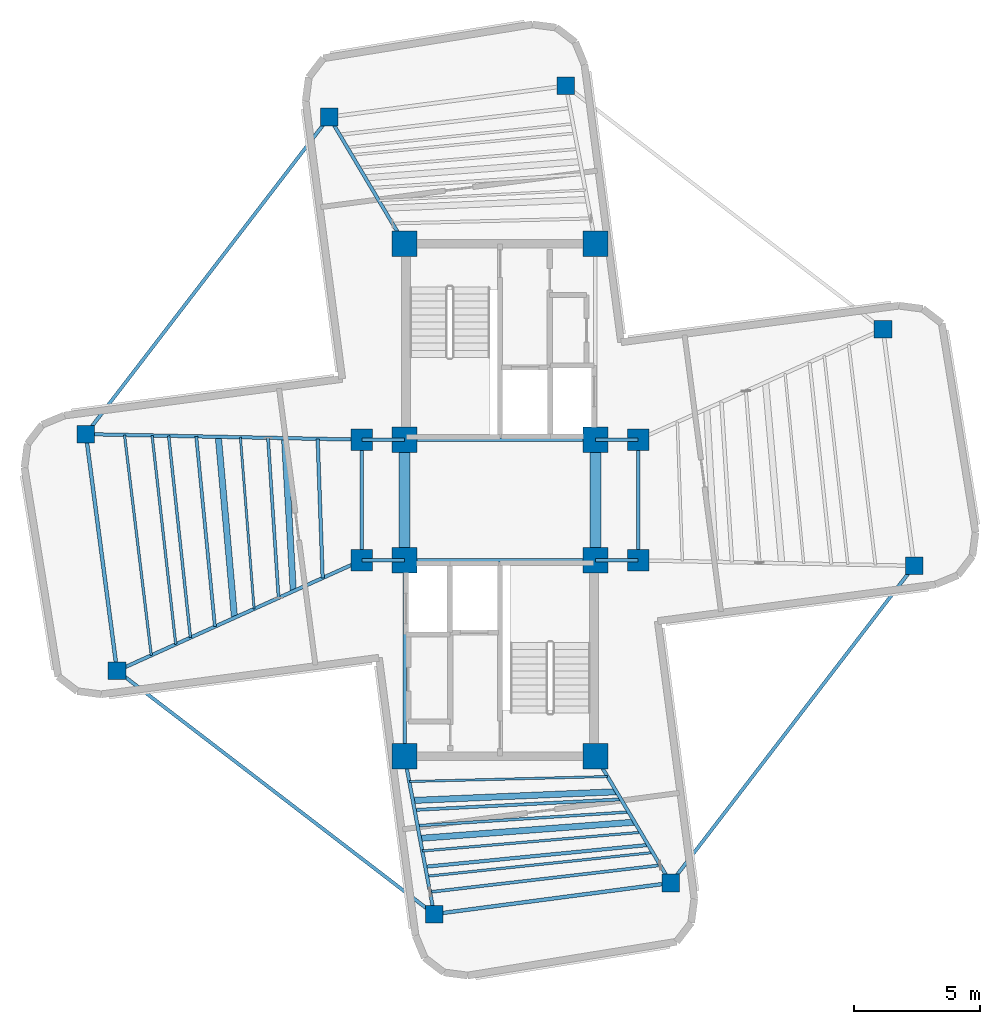
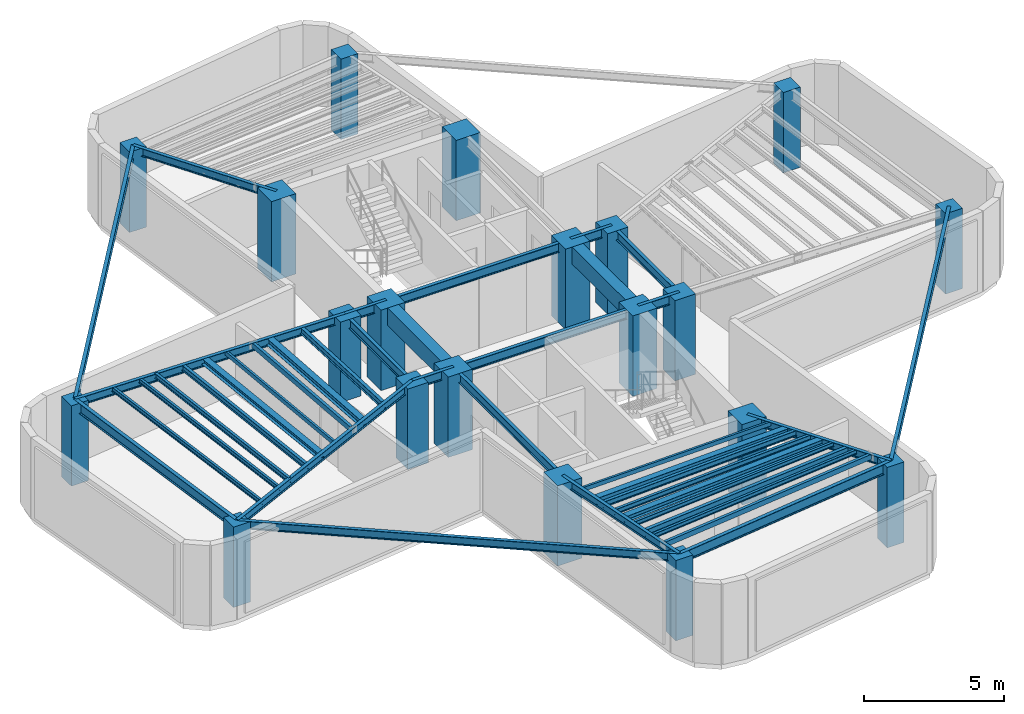
# One storey, part 1 of 6: 39 beams, 20 columns.
"""IFC4 building model written with IfcOpenShell, lengths in metres."""

from ifc_helpers import new_model, si_unit, direction, frame, origin, origin_2d, place, context, subcontext, project, spatial, rectangle, hollow_rectangle, i_section, extrude, source, transform, mapped, material, material_profile, profile_set, type_object, element, save


model = new_model("IFC4")

# Units and contexts
model_context = context("Model", 3, precision=1e-05, world=origin(), true_north=direction((0.0, 1.0)))
body_context = subcontext(model_context, "Body", "Model", "MODEL_VIEW")
ifc_project = project(units=[si_unit("LENGTHUNIT", "METRE"), si_unit("AREAUNIT", "SQUARE_METRE"), si_unit("VOLUMEUNIT", "CUBIC_METRE"), si_unit("PLANEANGLEUNIT", "RADIAN"), si_unit("MASSUNIT", "GRAM", prefix="KILO")], contexts=[model_context])

# Site, building, storey
site_placement = place(None, origin())
site = spatial("IfcSite", under=ifc_project, at=site_placement, CompositionType="ELEMENT")
building_placement = place(site_placement, origin())
building = spatial("IfcBuilding", under=site, at=building_placement, Name="Sahyath Konkavel Grand Hotel", CompositionType="ELEMENT")
storey_placement = place(building_placement, frame((0.0, 0.0, 288.89990234375)))
storey = spatial("IfcBuildingStorey", under=building, at=storey_placement, Name="L80", CompositionType="ELEMENT", Elevation=288.89990234375)

# Columns
ifc_material_1 = material(Name="Concrete C50/60", Category="concrete")
ifc_material_profile_1 = material_profile(ifc_material_1, rectangle(XDim=1.0, YDim=1.0, at=origin_2d()), Name="RC 1000x1000")
ifc_profile_set_1 = profile_set([ifc_material_profile_1], Name="Concrete C50/60")
column_type_1 = type_object("IfcColumnType", Name="COL-RC1000", PredefinedType="COLUMN", material=ifc_profile_set_1)
shared_shape_1 = source(origin(), body_context, "Body", "SweptSolid", [
    extrude(rectangle(XDim=1.0, YDim=1.0, at=origin_2d()), origin(), (0.0, 0.0, 1.0), 3.5),
])
for number, where, z_axis, x_axis, name in (
    (1, (-3.800048828125, 2.39990234375, 0.0), (0.0, 0.0, 1.0), (1.0, 0.0, 0.0), "L80 Core Boundary Column NC-SW"),
    (2, (3.800048828125, 2.39990234375, 0.0), (0.0, 0.0, 1.0), (1.0, 0.0, 0.0), "L80 Core Boundary Column NC-SE"),
    (3, (-3.800048828125, 10.199951171875, 0.0), (0.0, 0.0, 1.0), (1.0, 0.0, 0.0), "L80 Core Boundary Column NC-NW"),
    (4, (3.800048828125, 10.199951171875, 0.0), (0.0, 0.0, 1.0), (1.0, 0.0, 0.0), "L80 Core Boundary Column NC-NE"),
    (5, (-3.800048828125, -2.39990234375, 0.0), (0.0, 0.0, 1.0), (1.0, 0.0, 0.0), "L80 Core Boundary Column SC-NW"),
    (6, (3.800048828125, -2.39990234375, 0.0), (0.0, 0.0, 1.0), (1.0, 0.0, 0.0), "L80 Core Boundary Column SC-NE"),
    (7, (-3.800048828125, -10.199951171875, 0.0), (0.0, 0.0, 1.0), (1.0, 0.0, 0.0), "L80 Core Boundary Column SC-SW"),
    (8, (3.800048828125, -10.199951171875, 0.0), (0.0, 0.0, 1.0), (1.0, 0.0, 0.0), "L80 Core Boundary Column SC-SE"),
):
    element("IfcColumn", number, at=place(storey_placement, frame(where, z_axis=z_axis, x_axis=x_axis)), inside=storey, type_object=column_type_1, Name=name, PredefinedType="COLUMN", context=body_context, shape_type="MappedRepresentation", body=[
        mapped(shared_shape_1, transform((0.0, 0.0, 0.0), scale=1.0)),
    ])
ifc_material_2 = material(Name="Concrete C40/50", Category="concrete")
ifc_material_profile_2 = material_profile(ifc_material_2, rectangle(XDim=0.85009765625, YDim=0.85009765625, at=origin_2d()), Name="RC 850x850")
ifc_profile_set_2 = profile_set([ifc_material_profile_2], Name="Concrete C40/50")
column_type_2 = type_object("IfcColumnType", Name="COL-RC850", PredefinedType="COLUMN", material=ifc_profile_set_2)
shared_shape_2 = source(origin(), body_context, "Body", "SweptSolid", [
    extrude(rectangle(XDim=0.85009765625, YDim=0.85009765625, at=origin_2d()), origin(), (0.0, 0.0, 1.0), 3.5),
])
for number, where, z_axis, x_axis, name in (
    (9, (5.5, 2.39990234375, 0.0), (0.0, 0.0, 1.0), (1.0, 0.0, 0.0), "L80 Central Spine Column HB-NE"),
    (10, (-5.5, 2.39990234375, 0.0), (0.0, 0.0, 1.0), (1.0, 0.0, 0.0), "L80 Central Spine Column HB-NW"),
    (11, (5.5, -2.39990234375, 0.0), (0.0, 0.0, 1.0), (1.0, 0.0, 0.0), "L80 Central Spine Column HB-SE"),
    (12, (-5.5, -2.39990234375, 0.0), (0.0, 0.0, 1.0), (1.0, 0.0, 0.0), "L80 Central Spine Column HB-SW"),
):
    element("IfcColumn", number, at=place(storey_placement, frame(where, z_axis=z_axis, x_axis=x_axis)), inside=storey, type_object=column_type_2, Name=name, PredefinedType="COLUMN", context=body_context, shape_type="MappedRepresentation", body=[
        mapped(shared_shape_2, transform((0.0, 0.0, 0.0), scale=1.0)),
    ])
ifc_material_profile_3 = material_profile(ifc_material_2, rectangle(XDim=0.699951171875, YDim=0.699951171875, at=origin_2d()), Name="RC 700x700")
ifc_profile_set_3 = profile_set([ifc_material_profile_3], Name="Concrete C40/50")
column_type_3 = type_object("IfcColumnType", Name="COL-RC700", PredefinedType="COLUMN", material=ifc_profile_set_3)
shared_shape_3 = source(origin(), body_context, "Body", "SweptSolid", [
    extrude(rectangle(XDim=0.699951171875, YDim=0.699951171875, at=origin_2d()), origin(), (0.0, 0.0, 1.0), 3.5),
])
for number, where, z_axis, x_axis, name in (
    (13, (16.483154296875, -2.620849609375, 0.0), (0.0, 0.0, 1.0), (1.0, 0.0, 0.0), "L80 Cruciform Wing Column WC-EA"),
    (14, (15.2431640625, 6.7978515625, 0.0), (0.0, 0.0, 1.0), (1.0, 0.0, 0.0), "L80 Cruciform Wing Column WC-EB"),
    (15, (2.620849609375, 16.483154296875, 0.0), (0.0, 0.0, 1.0), (1.0, 0.0, 0.0), "L80 Cruciform Wing Column WC-NA"),
    (16, (-6.7978515625, 15.2431640625, 0.0), (0.0, 0.0, 1.0), (1.0, 0.0, 0.0), "L80 Cruciform Wing Column WC-NB"),
    (17, (-16.483154296875, 2.620849609375, 0.0), (0.0, 0.0, 1.0), (1.0, 0.0, 0.0), "L80 Cruciform Wing Column WC-WA"),
    (18, (-15.2431640625, -6.7978515625, 0.0), (0.0, 0.0, 1.0), (1.0, 0.0, 0.0), "L80 Cruciform Wing Column WC-WB"),
    (19, (-2.620849609375, -16.483154296875, 0.0), (0.0, 0.0, 1.0), (1.0, 0.0, 0.0), "L80 Cruciform Wing Column WC-SA"),
    (20, (6.7978515625, -15.2431640625, 0.0), (0.0, 0.0, 1.0), (1.0, 0.0, 0.0), "L80 Cruciform Wing Column WC-SB"),
):
    element("IfcColumn", number, at=place(storey_placement, frame(where, z_axis=z_axis, x_axis=x_axis)), inside=storey, type_object=column_type_3, Name=name, PredefinedType="COLUMN", context=body_context, shape_type="MappedRepresentation", body=[
        mapped(shared_shape_3, transform((0.0, 0.0, 0.0), scale=1.0)),
    ])

# Beams
ifc_material_3 = material(Name="Steel E350", Category="steel")
ifc_material_profile_4 = material_profile(ifc_material_3, i_section(OverallWidth=0.139892578125, OverallDepth=0.39990234375, WebThickness=0.0087890625, FlangeThickness=0.01611328125, FilletRadius=0.013916015625, at=origin_2d()), Name="ISMB 400")
ifc_profile_set_4 = profile_set([ifc_material_profile_4], Name="Steel E350")
beam_type_1 = type_object("IfcBeamType", Name="BM-ISMB400", PredefinedType="BEAM", material=ifc_profile_set_4)
shared_shape_4 = source(origin(), body_context, "Body", "SweptSolid", [
    extrude(i_section(OverallWidth=0.139892578125, OverallDepth=0.39990234375, WebThickness=0.0087890625, FlangeThickness=0.01611328125, FilletRadius=0.013916015625, at=origin_2d()), origin(), (0.0, 0.0, 1.0), 7.60009765625),
])
for number, where, z_axis, x_axis, name in (
    (21, (-3.800048828125, 2.39990234375, 3.300048828125), (1.0, 0.0, 0.0), (0.0, 1.0, 0.0), "str:bm:L80:NC-S"),
    (22, (-3.800048828125, -2.39990234375, 3.300048828125), (1.0, 0.0, 0.0), (0.0, 1.0, 0.0), "str:bm:L80:SC-N"),
):
    element("IfcBeam", number, at=place(storey_placement, frame(where, z_axis=z_axis, x_axis=x_axis)), inside=storey, type_object=beam_type_1, Name=name, PredefinedType="BEAM", context=body_context, shape_type="MappedRepresentation", body=[
        mapped(shared_shape_4, transform((0.0, 0.0, 0.0), scale=1.0)),
    ])
shared_shape_5 = source(origin(), body_context, "Body", "SweptSolid", [
    extrude(i_section(OverallWidth=0.139892578125, OverallDepth=0.39990234375, WebThickness=0.0087890625, FlangeThickness=0.01611328125, FilletRadius=0.013916015625, at=origin_2d()), origin(), (0.0, 0.0, 1.0), 7.800048828125),
])
beam_1_placement = place(storey_placement, frame((-3.800048828125, -10.199951171875, 3.300048828125), z_axis=(0.0, 1.0, 0.0), x_axis=(-1.0, 0.0, 0.0)))
element("IfcBeam", 23, at=beam_1_placement, inside=storey, type_object=beam_type_1, Name="str:bm:L80:SC-W", PredefinedType="BEAM", context=body_context, shape_type="MappedRepresentation", body=[
    mapped(shared_shape_5, transform((0.0, 0.0, 0.0), scale=1.0)),
])
shared_shape_6 = source(origin(), body_context, "Body", "SweptSolid", [
    extrude(i_section(OverallWidth=0.139892578125, OverallDepth=0.39990234375, WebThickness=0.0087890625, FlangeThickness=0.01611328125, FilletRadius=0.013916015625, at=origin_2d()), origin(), (0.0, 0.0, 1.0), 1.699951171875),
])
for number, where, z_axis, x_axis, name in (
    (24, (-5.5, 2.39990234375, 3.300048828125), (1.0, 0.0, 0.0), (0.0, 1.0, 0.0), "str:bm:L80:HB-NW"),
    (25, (3.800048828125, 2.39990234375, 3.300048828125), (1.0, 0.0, 0.0), (0.0, 1.0, 0.0), "str:bm:L80:HB-NE"),
    (26, (-5.5, -2.39990234375, 3.300048828125), (1.0, 0.0, 0.0), (0.0, 1.0, 0.0), "str:bm:L80:HB-SW"),
    (27, (3.800048828125, -2.39990234375, 3.300048828125), (1.0, 0.0, 0.0), (0.0, 1.0, 0.0), "str:bm:L80:HB-SE"),
):
    element("IfcBeam", number, at=place(storey_placement, frame(where, z_axis=z_axis, x_axis=x_axis)), inside=storey, type_object=beam_type_1, Name=name, PredefinedType="BEAM", context=body_context, shape_type="MappedRepresentation", body=[
        mapped(shared_shape_6, transform((0.0, 0.0, 0.0), scale=1.0)),
    ])
shared_shape_7 = source(origin(), body_context, "Body", "SweptSolid", [
    extrude(i_section(OverallWidth=0.139892578125, OverallDepth=0.39990234375, WebThickness=0.0087890625, FlangeThickness=0.01611328125, FilletRadius=0.013916015625, at=origin_2d()), origin(), (0.0, 0.0, 1.0), 4.7998046875),
])
for number, where, z_axis, x_axis, name in (
    (28, (5.5, -2.39990234375, 3.300048828125), (0.0, 1.0, 0.0), (-1.0, 0.0, 0.0), "str:bm:L80:HB-E"),
    (29, (-5.5, -2.39990234375, 3.300048828125), (0.0, 1.0, 0.0), (-1.0, 0.0, 0.0), "str:bm:L80:HB-W"),
):
    element("IfcBeam", number, at=place(storey_placement, frame(where, z_axis=z_axis, x_axis=x_axis)), inside=storey, type_object=beam_type_1, Name=name, PredefinedType="BEAM", context=body_context, shape_type="MappedRepresentation", body=[
        mapped(shared_shape_7, transform((0.0, 0.0, 0.0), scale=1.0)),
    ])
ifc_material_profile_5 = material_profile(ifc_material_2, rectangle(XDim=0.449951171875, YDim=0.75, at=origin_2d()), Name="RC 450x750")
ifc_profile_set_5 = profile_set([ifc_material_profile_5], Name="Concrete C40/50")
beam_type_2 = type_object("IfcBeamType", Name="BM-CB450x750", PredefinedType="LINTEL", material=ifc_profile_set_5)
shared_shape_8 = source(origin(), body_context, "Body", "SweptSolid", [
    extrude(rectangle(XDim=0.449951171875, YDim=0.75, at=origin_2d()), origin(), (0.0, 0.0, 1.0), 4.7998046875),
])
for number, where, z_axis, x_axis, name in (
    (30, (-3.800048828125, -2.39990234375, 3.125), (0.0, 1.0, 0.0), (-1.0, 0.0, 0.0), "L80 Split-Core Coupling Beam West"),
    (31, (3.800048828125, -2.39990234375, 3.125), (0.0, 1.0, 0.0), (-1.0, 0.0, 0.0), "L80 Split-Core Coupling Beam East"),
):
    element("IfcBeam", number, at=place(storey_placement, frame(where, z_axis=z_axis, x_axis=x_axis)), inside=storey, type_object=beam_type_2, Name=name, PredefinedType="LINTEL", context=body_context, shape_type="MappedRepresentation", body=[
        mapped(shared_shape_8, transform((0.0, 0.0, 0.0), scale=1.0)),
    ])
ifc_material_profile_6 = material_profile(ifc_material_3, i_section(OverallWidth=0.14990234375, OverallDepth=0.449951171875, WebThickness=0.009521484375, FlangeThickness=0.017333984375, FilletRadius=0.014892578125, at=origin_2d()), Name="ISMB 450")
ifc_profile_set_6 = profile_set([ifc_material_profile_6], Name="Steel E350")
beam_type_3 = type_object("IfcBeamType", Name="BM-ISMB450", PredefinedType="BEAM", material=ifc_profile_set_6)
shared_shape_9 = source(origin(), body_context, "Body", "SweptSolid", [
    extrude(i_section(OverallWidth=0.14990234375, OverallDepth=0.449951171875, WebThickness=0.009521484375, FlangeThickness=0.017333984375, FilletRadius=0.014892578125, at=origin_2d()), origin(), (0.0, 0.0, 1.0), 9.5),
])
for number, where, z_axis, x_axis, name in (
    (32, (-16.483154296875, 2.620849609375, 3.275146484375), (0.130525643939, -0.991444933556, 0.0), (0.991444933556, 0.130525643939, 0.0), "L80 Wing Tip Edge Beam W"),
    (33, (-2.620849609375, -16.483154296875, 3.275146484375), (0.991444933556, 0.130525643939, 0.0), (-0.130525643939, 0.991444933556, 0.0), "L80 Wing Tip Edge Beam S"),
):
    element("IfcBeam", number, at=place(storey_placement, frame(where, z_axis=z_axis, x_axis=x_axis)), inside=storey, type_object=beam_type_3, Name=name, PredefinedType="BEAM", context=body_context, shape_type="MappedRepresentation", body=[
        mapped(shared_shape_9, transform((0.0, 0.0, 0.0), scale=1.0)),
    ])
ifc_material_profile_7 = material_profile(ifc_material_3, i_section(OverallWidth=0.139892578125, OverallDepth=0.35009765625, WebThickness=0.008056640625, FlangeThickness=0.01416015625, FilletRadius=0.013916015625, at=origin_2d()), Name="ISMB 350")
ifc_profile_set_7 = profile_set([ifc_material_profile_7], Name="Steel E350")
beam_type_4 = type_object("IfcBeamType", Name="BM-ISMB350", PredefinedType="BEAM", material=ifc_profile_set_7)
shared_shape_10 = source(origin(), body_context, "Body", "SweptSolid", [
    extrude(i_section(OverallWidth=0.139892578125, OverallDepth=0.35009765625, WebThickness=0.008056640625, FlangeThickness=0.01416015625, FilletRadius=0.013916015625, at=origin_2d()), origin(), (0.0, 0.0, 1.0), 10.9853515625),
])
beam_2_placement = place(storey_placement, frame((-5.5, 2.39990234375, 3.3251953125), z_axis=(-0.999797716106, 0.020112853337, 0.0), x_axis=(-0.020112853337, -0.999797716106, 0.0)))
element("IfcBeam", 34, at=beam_2_placement, inside=storey, type_object=beam_type_4, Name="L80 Cruciform Radial Girder WA", PredefinedType="BEAM", context=body_context, shape_type="MappedRepresentation", body=[
    mapped(shared_shape_10, transform((0.0, 0.0, 0.0), scale=1.0)),
])
shared_shape_11 = source(origin(), body_context, "Body", "SweptSolid", [
    extrude(i_section(OverallWidth=0.139892578125, OverallDepth=0.35009765625, WebThickness=0.008056640625, FlangeThickness=0.01416015625, FilletRadius=0.013916015625, at=origin_2d()), origin(), (0.0, 0.0, 1.0), 10.689697265625),
])
beam_3_placement = place(storey_placement, frame((-5.5, -2.39990234375, 3.3251953125), z_axis=(-0.911447410295, -0.411416599405, 0.0), x_axis=(0.411416599405, -0.911447410295, 0.0)))
element("IfcBeam", 35, at=beam_3_placement, inside=storey, type_object=beam_type_4, Name="L80 Cruciform Radial Girder WB", PredefinedType="BEAM", context=body_context, shape_type="MappedRepresentation", body=[
    mapped(shared_shape_11, transform((0.0, 0.0, 0.0), scale=1.0)),
])
shared_shape_12 = source(origin(), body_context, "Body", "SweptSolid", [
    extrude(i_section(OverallWidth=0.139892578125, OverallDepth=0.35009765625, WebThickness=0.008056640625, FlangeThickness=0.01416015625, FilletRadius=0.013916015625, at=origin_2d()), origin(), (0.0, 0.0, 1.0), 6.392822265625),
])
beam_4_placement = place(storey_placement, frame((-3.800048828125, -10.199951171875, 3.3251953125), z_axis=(0.184454547999, -0.982841044993, 0.0), x_axis=(0.982841044993, 0.184454547999, 0.0)))
element("IfcBeam", 36, at=beam_4_placement, inside=storey, type_object=beam_type_4, Name="L80 Cruciform Radial Girder SA", PredefinedType="BEAM", context=body_context, shape_type="MappedRepresentation", body=[
    mapped(shared_shape_12, transform((0.0, 0.0, 0.0), scale=1.0)),
])
shared_shape_13 = source(origin(), body_context, "Body", "SweptSolid", [
    extrude(i_section(OverallWidth=0.139892578125, OverallDepth=0.35009765625, WebThickness=0.008056640625, FlangeThickness=0.01416015625, FilletRadius=0.013916015625, at=origin_2d()), origin(), (0.0, 0.0, 1.0), 5.866943359375),
])
for number, where, z_axis, x_axis, name in (
    (37, (-3.800048828125, 10.199951171875, 3.3251953125), (-0.510966539123, 0.859600602546, 0.0), (-0.859600602546, -0.510966539123, 0.0), "L80 Cruciform Radial Girder NB"),
    (38, (3.800048828125, -10.199951171875, 3.3251953125), (0.510966539123, -0.859600602546, 0.0), (0.859600602546, 0.510966539123, 0.0), "L80 Cruciform Radial Girder SB"),
):
    element("IfcBeam", number, at=place(storey_placement, frame(where, z_axis=z_axis, x_axis=x_axis)), inside=storey, type_object=beam_type_4, Name=name, PredefinedType="BEAM", context=body_context, shape_type="MappedRepresentation", body=[
        mapped(shared_shape_13, transform((0.0, 0.0, 0.0), scale=1.0)),
    ])
shared_shape_14 = source(origin(), body_context, "Body", "SweptSolid", [
    extrude(i_section(OverallWidth=0.139892578125, OverallDepth=0.35009765625, WebThickness=0.008056640625, FlangeThickness=0.01416015625, FilletRadius=0.013916015625, at=origin_2d()), origin(), (0.0, 0.0, 1.0), 15.909912109375),
])
for number, where, z_axis, x_axis, name in (
    (39, (-6.7978515625, 15.2431640625, 3.3251953125), (-0.608755898564, -0.79335758392, 0.0), (0.79335758392, -0.608755898564, 0.0), "L80 Re-Entrant Tie Beam NW"),
    (40, (-15.2431640625, -6.7978515625, 3.3251953125), (0.79335758392, -0.608755898564, 0.0), (0.608755898564, 0.79335758392, 0.0), "L80 Re-Entrant Tie Beam SW"),
    (41, (16.483154296875, -2.620849609375, 3.3251953125), (-0.608755898564, -0.79335758392, 0.0), (0.79335758392, -0.608755898564, 0.0), "L80 Re-Entrant Tie Beam SE"),
):
    element("IfcBeam", number, at=place(storey_placement, frame(where, z_axis=z_axis, x_axis=x_axis)), inside=storey, type_object=beam_type_4, Name=name, PredefinedType="BEAM", context=body_context, shape_type="MappedRepresentation", body=[
        mapped(shared_shape_14, transform((0.0, 0.0, 0.0), scale=1.0)),
    ])
ifc_material_profile_8 = material_profile(ifc_material_3, i_section(OverallWidth=0.25, OverallDepth=0.300048828125, WebThickness=0.009521484375, FlangeThickness=0.010498046875, FilletRadius=0.010986328125, at=origin_2d()), Name="ISHB 300")
ifc_profile_set_8 = profile_set([ifc_material_profile_8], Name="Steel E350")
beam_type_5 = type_object("IfcBeamType", Name="BM-ISHB300", PredefinedType="BEAM", material=ifc_profile_set_8)
shared_shape_15 = source(origin(), body_context, "Body", "SweptSolid", [
    extrude(i_section(OverallWidth=0.25, OverallDepth=0.300048828125, WebThickness=0.009521484375, FlangeThickness=0.010498046875, FilletRadius=0.010986328125, at=origin_2d()), origin(), (0.0, 0.0, 1.0), 6.10302734375),
])
beam_5_placement = place(storey_placement, frame((-8.5751953125, 2.4619140625, 3.35009765625), z_axis=(0.056883465537, -0.99838082481, 0.0), x_axis=(0.99838082481, 0.056883465537, 0.0)))
element("IfcBeam", 42, at=beam_5_placement, inside=storey, type_object=beam_type_5, Name="L80 Secondary Floor Beam W-1", PredefinedType="BEAM", context=body_context, shape_type="MappedRepresentation", body=[
    mapped(shared_shape_15, transform((0.0, 0.0, 0.0), scale=1.0)),
])
ifc_material_profile_9 = material_profile(ifc_material_3, i_section(OverallWidth=0.25, OverallDepth=0.25, WebThickness=0.0087890625, FlangeThickness=0.009765625, FilletRadius=0.010009765625, at=origin_2d()), Name="ISHB 250")
ifc_profile_set_9 = profile_set([ifc_material_profile_9], Name="Steel E350")
beam_type_6 = type_object("IfcBeamType", Name="BM-ISHB250", PredefinedType="BEAM", material=ifc_profile_set_9)
shared_shape_16 = source(origin(), body_context, "Body", "SweptSolid", [
    extrude(i_section(OverallWidth=0.25, OverallDepth=0.25, WebThickness=0.0087890625, FlangeThickness=0.009765625, FilletRadius=0.010009765625, at=origin_2d()), origin(), (0.0, 0.0, 1.0), 7.230712890625),
])
beam_6_placement = place(storey_placement, frame((-11.211181640625, 2.514892578125, 3.375), z_axis=(0.089171800482, -0.996016259907, 0.0), x_axis=(0.996016259907, 0.089171800482, 0.0)))
element("IfcBeam", 43, at=beam_6_placement, inside=storey, type_object=beam_type_6, Name="L80 Secondary Floor Beam W-2", PredefinedType="BEAM", context=body_context, shape_type="MappedRepresentation", body=[
    mapped(shared_shape_16, transform((0.0, 0.0, 0.0), scale=1.0)),
])
ifc_material_profile_10 = material_profile(ifc_material_3, i_section(OverallWidth=0.10009765625, OverallDepth=0.199951171875, WebThickness=0.005615234375, FlangeThickness=0.0107421875, FilletRadius=0.010986328125, at=origin_2d()), Name="ISMB 200")
ifc_profile_set_10 = profile_set([ifc_material_profile_10], Name="Steel E350")
beam_type_7 = type_object("IfcBeamType", Name="BM-ISMB200", PredefinedType="BEAM", material=ifc_profile_set_10)
shared_shape_17 = source(origin(), body_context, "Body", "SweptSolid", [
    extrude(i_section(OverallWidth=0.10009765625, OverallDepth=0.199951171875, WebThickness=0.005615234375, FlangeThickness=0.0107421875, FilletRadius=0.010986328125, at=origin_2d()), origin(), (0.0, 0.0, 1.0), 8.36328125),
])
beam_7_placement = place(storey_placement, frame((-13.84716796875, 2.56787109375, 3.400146484375), z_axis=(0.112680437677, -0.99363127918, 0.0), x_axis=(0.99363127918, 0.112680437677, 0.0)))
element("IfcBeam", 44, at=beam_7_placement, inside=storey, type_object=beam_type_7, Name="L80 Secondary Floor Beam W-3", PredefinedType="BEAM", context=body_context, shape_type="MappedRepresentation", body=[
    mapped(shared_shape_17, transform((0.0, 0.0, 0.0), scale=1.0)),
])
shared_shape_18 = source(origin(), body_context, "Body", "SweptSolid", [
    extrude(i_section(OverallWidth=0.25, OverallDepth=0.300048828125, WebThickness=0.009521484375, FlangeThickness=0.010498046875, FilletRadius=0.010986328125, at=origin_2d()), origin(), (0.0, 0.0, 1.0), 8.11669921875),
])
beam_8_placement = place(storey_placement, frame((-3.469970703125, -11.959228515625, 3.35009765625), z_axis=(0.999084879956, 0.042771516718, 0.0), x_axis=(-0.042771516718, 0.999084879956, 0.0)))
element("IfcBeam", 45, at=beam_8_placement, inside=storey, type_object=beam_type_5, Name="L80 Secondary Floor Beam S-1", PredefinedType="BEAM", context=body_context, shape_type="MappedRepresentation", body=[
    mapped(shared_shape_18, transform((0.0, 0.0, 0.0), scale=1.0)),
])
shared_shape_19 = source(origin(), body_context, "Body", "SweptSolid", [
    extrude(i_section(OverallWidth=0.25, OverallDepth=0.25, WebThickness=0.0087890625, FlangeThickness=0.009765625, FilletRadius=0.010009765625, at=origin_2d()), origin(), (0.0, 0.0, 1.0), 8.570068359375),
])
beam_9_placement = place(storey_placement, frame((-3.18701171875, -13.46728515625, 3.375), z_axis=(0.997165854664, 0.075234688098, 0.0), x_axis=(-0.075234688098, 0.997165854664, 0.0)))
element("IfcBeam", 46, at=beam_9_placement, inside=storey, type_object=beam_type_6, Name="L80 Secondary Floor Beam S-2", PredefinedType="BEAM", context=body_context, shape_type="MappedRepresentation", body=[
    mapped(shared_shape_19, transform((0.0, 0.0, 0.0), scale=1.0)),
])
shared_shape_20 = source(origin(), body_context, "Body", "SweptSolid", [
    extrude(i_section(OverallWidth=0.10009765625, OverallDepth=0.199951171875, WebThickness=0.005615234375, FlangeThickness=0.0107421875, FilletRadius=0.010986328125, at=origin_2d()), origin(), (0.0, 0.0, 1.0), 9.031494140625),
])
beam_10_placement = place(storey_placement, frame((-2.90380859375, -14.97509765625, 3.400146484375), z_axis=(0.994541240043, 0.104344246869, 0.0), x_axis=(-0.104344246869, 0.994541240043, 0.0)))
element("IfcBeam", 47, at=beam_10_placement, inside=storey, type_object=beam_type_7, Name="L80 Secondary Floor Beam S-3", PredefinedType="BEAM", context=body_context, shape_type="MappedRepresentation", body=[
    mapped(shared_shape_20, transform((0.0, 0.0, 0.0), scale=1.0)),
])
ifc_material_profile_11 = material_profile(ifc_material_3, i_section(OverallWidth=0.139892578125, OverallDepth=0.27490234375, WebThickness=0.00634765625, FlangeThickness=0.0087890625, FilletRadius=0.012939453125, at=origin_2d()), Name="ISLB 275")
ifc_profile_set_11 = profile_set([ifc_material_profile_11], Name="Steel E350")
beam_type_8 = type_object("IfcBeamType", Name="BM-ISLB275", PredefinedType="BEAM", material=ifc_profile_set_11)
shared_shape_21 = source(origin(), body_context, "Body", "SweptSolid", [
    extrude(i_section(OverallWidth=0.139892578125, OverallDepth=0.27490234375, WebThickness=0.00634765625, FlangeThickness=0.0087890625, FilletRadius=0.012939453125, at=origin_2d()), origin(), (0.0, 0.0, 1.0), 5.54248046875),
])
beam_11_placement = place(storey_placement, frame((-7.25732421875, 2.435302734375, 3.362548828125), z_axis=(0.035812512973, -0.999358526213, 0.0), x_axis=(0.999358526213, 0.035812512973, 0.0)))
element("IfcBeam", 48, at=beam_11_placement, inside=storey, type_object=beam_type_8, Name="L80 Composite Deck Sub-Beam W-1", PredefinedType="BEAM", context=body_context, shape_type="MappedRepresentation", body=[
    mapped(shared_shape_21, transform((0.0, 0.0, 0.0), scale=1.0)),
])
ifc_material_profile_12 = material_profile(ifc_material_3, hollow_rectangle(XDim=0.1201171875, YDim=0.219970703125, WallThickness=0.010009765625, at=origin_2d()), Name="RHS 220x120x10")
ifc_profile_set_12 = profile_set([ifc_material_profile_12], Name="Steel E350")
beam_type_9 = type_object("IfcBeamType", Name="BM-RHS220", PredefinedType="BEAM", material=ifc_profile_set_12)
shared_shape_22 = source(origin(), body_context, "Body", "SweptSolid", [
    extrude(hollow_rectangle(XDim=0.1201171875, YDim=0.219970703125, WallThickness=0.010009765625, at=origin_2d()), origin(), (0.0, 0.0, 1.0), 6.38427734375),
])
beam_12_placement = place(storey_placement, frame((-9.234375, 2.47509765625, 3.39013671875), z_axis=(0.066041839115, -0.997816854681, 0.0), x_axis=(0.997816854681, 0.066041839115, 0.0)))
element("IfcBeam", 49, at=beam_12_placement, inside=storey, type_object=beam_type_9, Name="L80 Composite Deck Sub-Beam W-2", PredefinedType="BEAM", context=body_context, shape_type="MappedRepresentation", body=[
    mapped(shared_shape_22, transform((0.0, 0.0, 0.0), scale=1.0)),
])
ifc_material_profile_13 = material_profile(ifc_material_3, hollow_rectangle(XDim=0.090087890625, YDim=0.179931640625, WallThickness=0.008056640625, at=origin_2d()), Name="RHS 180x90x8")
ifc_profile_set_13 = profile_set([ifc_material_profile_13], Name="Steel E350")
beam_type_10 = type_object("IfcBeamType", Name="BM-RHS180", PredefinedType="BEAM", material=ifc_profile_set_13)
shared_shape_23 = source(origin(), body_context, "Body", "SweptSolid", [
    extrude(hollow_rectangle(XDim=0.090087890625, YDim=0.179931640625, WallThickness=0.008056640625, at=origin_2d()), origin(), (0.0, 0.0, 1.0), 6.85400390625),
])
beam_13_placement = place(storey_placement, frame((-10.33251953125, 2.497314453125, 3.41015625), z_axis=(0.079575331875, -0.996828855199, 0.0), x_axis=(0.996828855199, 0.079575331875, 0.0)))
element("IfcBeam", 50, at=beam_13_placement, inside=storey, type_object=beam_type_10, Name="L80 Composite Deck Sub-Beam W-3", PredefinedType="BEAM", context=body_context, shape_type="MappedRepresentation", body=[
    mapped(shared_shape_23, transform((0.0, 0.0, 0.0), scale=1.0)),
])
ifc_material_profile_14 = material_profile(ifc_material_3, i_section(OverallWidth=0.125, OverallDepth=0.25, WebThickness=0.0068359375, FlangeThickness=0.012451171875, FilletRadius=0.012939453125, at=origin_2d()), Name="ISMB 250")
ifc_profile_set_14 = profile_set([ifc_material_profile_14], Name="Steel E350")
beam_type_11 = type_object("IfcBeamType", Name="BM-ISMB250", PredefinedType="BEAM", material=ifc_profile_set_14)
shared_shape_24 = source(origin(), body_context, "Body", "SweptSolid", [
    extrude(i_section(OverallWidth=0.125, OverallDepth=0.25, WebThickness=0.0068359375, FlangeThickness=0.012451171875, FilletRadius=0.012939453125, at=origin_2d()), origin(), (0.0, 0.0, 1.0), 7.607666015625),
])
beam_14_placement = place(storey_placement, frame((-12.08984375, 2.532470703125, 3.375), z_axis=(0.09778145576, -0.995207911398, 0.0), x_axis=(0.995207911398, 0.09778145576, 0.0)))
element("IfcBeam", 51, at=beam_14_placement, inside=storey, type_object=beam_type_11, Name="L80 Composite Deck Sub-Beam W-4", PredefinedType="BEAM", context=body_context, shape_type="MappedRepresentation", body=[
    mapped(shared_shape_24, transform((0.0, 0.0, 0.0), scale=1.0)),
])
ifc_material_profile_15 = material_profile(ifc_material_3, i_section(OverallWidth=0.110107421875, OverallDepth=0.22509765625, WebThickness=0.006591796875, FlangeThickness=0.01171875, FilletRadius=0.011962890625, at=origin_2d()), Name="ISMB 225")
ifc_profile_set_15 = profile_set([ifc_material_profile_15], Name="Steel E350")
beam_type_12 = type_object("IfcBeamType", Name="BM-ISMB225", PredefinedType="BEAM", material=ifc_profile_set_15)
shared_shape_25 = source(origin(), body_context, "Body", "SweptSolid", [
    extrude(i_section(OverallWidth=0.110107421875, OverallDepth=0.22509765625, WebThickness=0.006591796875, FlangeThickness=0.01171875, FilletRadius=0.011962890625, at=origin_2d()), origin(), (0.0, 0.0, 1.0), 8.079833984375),
])
beam_15_placement = place(storey_placement, frame((-13.188232421875, 2.5546875, 3.3876953125), z_axis=(0.107416459243, -0.994214113903, 0.0), x_axis=(0.994214113903, 0.107416459243, 0.0)))
element("IfcBeam", 52, at=beam_15_placement, inside=storey, type_object=beam_type_12, Name="L80 Composite Deck Sub-Beam W-5", PredefinedType="BEAM", context=body_context, shape_type="MappedRepresentation", body=[
    mapped(shared_shape_25, transform((0.0, 0.0, 0.0), scale=1.0)),
])
shared_shape_26 = source(origin(), body_context, "Body", "SweptSolid", [
    extrude(i_section(OverallWidth=0.10009765625, OverallDepth=0.199951171875, WebThickness=0.005615234375, FlangeThickness=0.0107421875, FilletRadius=0.010986328125, at=origin_2d()), origin(), (0.0, 0.0, 1.0), 8.8369140625),
])
beam_16_placement = place(storey_placement, frame((-14.945556640625, 2.590087890625, 3.400146484375), z_axis=(0.120677894343, -0.992691717411, 0.0), x_axis=(0.992691717411, 0.120677894343, 0.0)))
element("IfcBeam", 53, at=beam_16_placement, inside=storey, type_object=beam_type_7, Name="L80 Composite Deck Sub-Beam W-6", PredefinedType="BEAM", context=body_context, shape_type="MappedRepresentation", body=[
    mapped(shared_shape_26, transform((0.0, 0.0, 0.0), scale=1.0)),
])
shared_shape_27 = source(origin(), body_context, "Body", "SweptSolid", [
    extrude(hollow_rectangle(XDim=0.090087890625, YDim=0.179931640625, WallThickness=0.008056640625, at=origin_2d()), origin(), (0.0, 0.0, 1.0), 7.893310546875),
])
beam_17_placement = place(storey_placement, frame((-3.611328125, -11.205322265625, 3.41015625), z_axis=(0.999683790083, 0.025145970772, 0.0), x_axis=(-0.025145970772, 0.999683790083, 0.0)))
element("IfcBeam", 54, at=beam_17_placement, inside=storey, type_object=beam_type_10, Name="L80 Composite Deck Sub-Beam S-1", PredefinedType="BEAM", context=body_context, shape_type="MappedRepresentation", body=[
    mapped(shared_shape_27, transform((0.0, 0.0, 0.0), scale=1.0)),
])
shared_shape_28 = source(origin(), body_context, "Body", "SweptSolid", [
    extrude(i_section(OverallWidth=0.125, OverallDepth=0.25, WebThickness=0.0068359375, FlangeThickness=0.012451171875, FilletRadius=0.012939453125, at=origin_2d()), origin(), (0.0, 0.0, 1.0), 8.229248046875),
])
beam_18_placement = place(storey_placement, frame((-3.399169921875, -12.336181640625, 3.375), z_axis=(0.998688130329, 0.051205647534, 0.0), x_axis=(-0.051205647534, 0.998688130329, 0.0)))
element("IfcBeam", 55, at=beam_18_placement, inside=storey, type_object=beam_type_11, Name="L80 Composite Deck Sub-Beam S-2", PredefinedType="BEAM", context=body_context, shape_type="MappedRepresentation", body=[
    mapped(shared_shape_28, transform((0.0, 0.0, 0.0), scale=1.0)),
])
shared_shape_29 = source(origin(), body_context, "Body", "SweptSolid", [
    extrude(i_section(OverallWidth=0.110107421875, OverallDepth=0.22509765625, WebThickness=0.006591796875, FlangeThickness=0.01171875, FilletRadius=0.011962890625, at=origin_2d()), origin(), (0.0, 0.0, 1.0), 8.41796875),
])
beam_19_placement = place(storey_placement, frame((-3.28125, -12.964599609375, 3.3876953125), z_axis=(0.997896901011, 0.064821099595, 0.0), x_axis=(-0.064821099595, 0.997896901011, 0.0)))
element("IfcBeam", 56, at=beam_19_placement, inside=storey, type_object=beam_type_12, Name="L80 Composite Deck Sub-Beam S-3", PredefinedType="BEAM", context=body_context, shape_type="MappedRepresentation", body=[
    mapped(shared_shape_29, transform((0.0, 0.0, 0.0), scale=1.0)),
])
shared_shape_30 = source(origin(), body_context, "Body", "SweptSolid", [
    extrude(i_section(OverallWidth=0.10009765625, OverallDepth=0.199951171875, WebThickness=0.005615234375, FlangeThickness=0.0107421875, FilletRadius=0.010986328125, at=origin_2d()), origin(), (0.0, 0.0, 1.0), 8.722900390625),
])
beam_20_placement = place(storey_placement, frame((-3.092529296875, -13.969970703125, 3.400146484375), z_axis=(0.996354605721, 0.085308262542, 0.0), x_axis=(-0.085308262542, 0.996354605721, 0.0)))
element("IfcBeam", 57, at=beam_20_placement, inside=storey, type_object=beam_type_7, Name="L80 Composite Deck Sub-Beam S-4", PredefinedType="BEAM", context=body_context, shape_type="MappedRepresentation", body=[
    mapped(shared_shape_30, transform((0.0, 0.0, 0.0), scale=1.0)),
])
shared_shape_31 = source(origin(), body_context, "Body", "SweptSolid", [
    extrude(i_section(OverallWidth=0.139892578125, OverallDepth=0.27490234375, WebThickness=0.00634765625, FlangeThickness=0.0087890625, FilletRadius=0.012939453125, at=origin_2d()), origin(), (0.0, 0.0, 1.0), 8.915283203125),
])
beam_21_placement = place(storey_placement, frame((-2.974609375, -14.59814453125, 3.362548828125), z_axis=(0.995250138935, 0.097350711092, 0.0), x_axis=(-0.097350711092, 0.995250138935, 0.0)))
element("IfcBeam", 58, at=beam_21_placement, inside=storey, type_object=beam_type_8, Name="L80 Composite Deck Sub-Beam S-5", PredefinedType="BEAM", context=body_context, shape_type="MappedRepresentation", body=[
    mapped(shared_shape_31, transform((0.0, 0.0, 0.0), scale=1.0)),
])
shared_shape_32 = source(origin(), body_context, "Body", "SweptSolid", [
    extrude(hollow_rectangle(XDim=0.1201171875, YDim=0.219970703125, WallThickness=0.010009765625, at=origin_2d()), origin(), (0.0, 0.0, 1.0), 9.225830078125),
])
beam_22_placement = place(storey_placement, frame((-2.785888671875, -15.603515625, 3.39013671875), z_axis=(0.993297209422, 0.115588294191, 0.0), x_axis=(-0.115588294191, 0.993297209422, 0.0)))
element("IfcBeam", 59, at=beam_22_placement, inside=storey, type_object=beam_type_9, Name="L80 Composite Deck Sub-Beam S-6", PredefinedType="BEAM", context=body_context, shape_type="MappedRepresentation", body=[
    mapped(shared_shape_32, transform((0.0, 0.0, 0.0), scale=1.0)),
])

save(model, "model.ifc")
